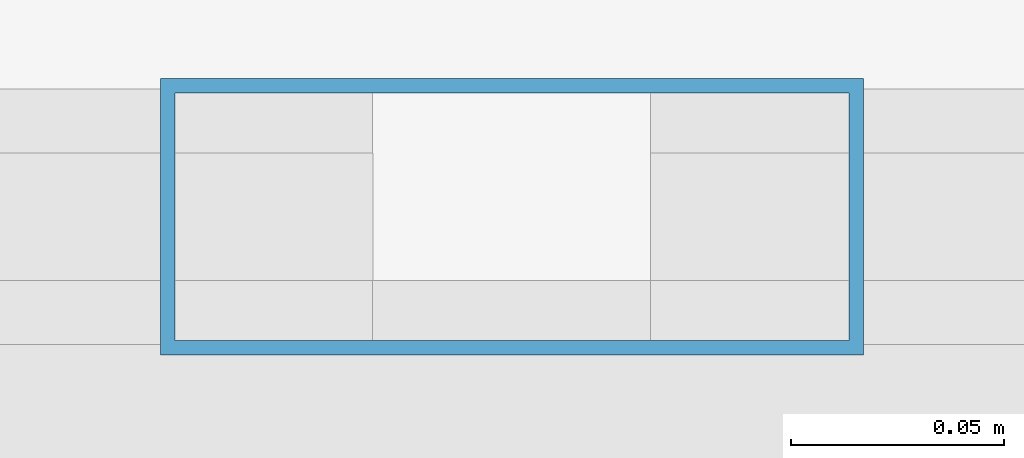
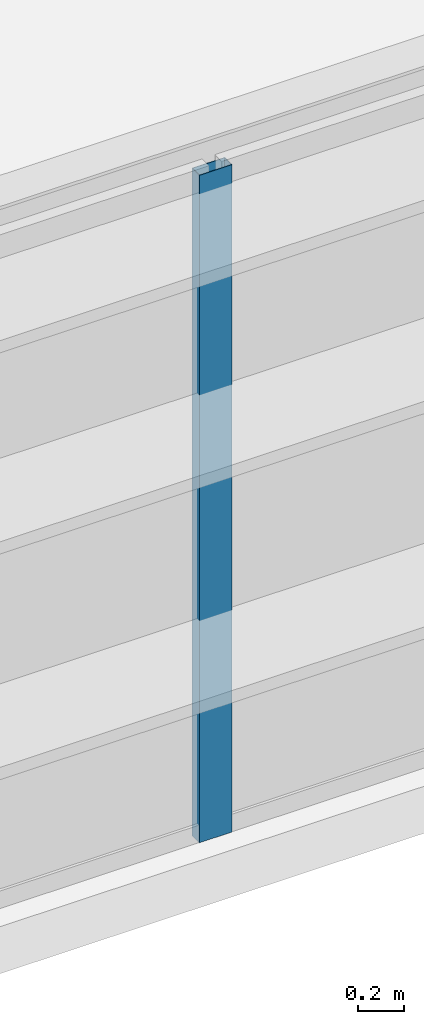
# One storey, part 8 of 27: 1 member, 1 element without a shape of its own.
"""IFC4 building model written with IfcOpenShell, lengths in metres."""

from ifc_helpers import new_model, si_unit, direction, frame, origin, origin_2d, place, context, subcontext, project, spatial, hollow_rectangle, extrude, source, transform, mapped, material, layer, layer_set, material_profile, profile_set, type_object, type_shapes, element, aggregate, save


model = new_model("IFC4")

# Units and contexts
model_context = context("Model", 3, precision=1e-05, world=origin(), true_north=direction((0.0, 1.0)))
body_context = subcontext(model_context, "Body", "Model", "MODEL_VIEW")
ifc_project = project(units=[si_unit("LENGTHUNIT", "METRE"), si_unit("AREAUNIT", "SQUARE_METRE"), si_unit("VOLUMEUNIT", "CUBIC_METRE"), si_unit("PLANEANGLEUNIT", "RADIAN"), si_unit("MASSUNIT", "GRAM", prefix="KILO")], contexts=[model_context])

# Site, building, storey
site_placement = place(None, origin())
site = spatial("IfcSite", under=ifc_project, at=site_placement, CompositionType="ELEMENT")
building_placement = place(site_placement, origin())
building = spatial("IfcBuilding", under=site, at=building_placement, Name="Varnel Quay Broadcast Tower", CompositionType="ELEMENT")
storey_placement = place(building_placement, frame((0.0, 0.0, 243.199951171875)))
storey = spatial("IfcBuildingStorey", under=building, at=storey_placement, Name="L60", CompositionType="ELEMENT", Elevation=243.199951171875)

# Curtain wall, member
ifc_material = material(Name="Anodised Bronze Aluminium 6063-T6", Category="aluminium")
ifc_layer = layer(ifc_material, 0.18994140625, Name="Anodised Bronze Aluminium 6063-T6")
ifc_layer_set = layer_set([ifc_layer], Name="Anodised Bronze Aluminium 6063-T6")
curtain_wall_type = type_object("IfcCurtainWallType", Name="CW_UpperTower", PredefinedType="NOTDEFINED", material=ifc_layer_set)
curtain_wall_placement = place(storey_placement, origin())
curtain_wall = element("IfcCurtainWall", 1, at=curtain_wall_placement, inside=storey, type_object=curtain_wall_type, Name="L60 South Unitised Curtain Wall 1", PredefinedType="NOTDEFINED")
ifc_material_profile = material_profile(ifc_material, hollow_rectangle(XDim=0.06494140625, YDim=0.1650390625, WallThickness=0.00341796875, at=origin_2d()), Name="ALU65X165X3.5")
ifc_profile_set = profile_set([ifc_material_profile], Name="Anodised Bronze Aluminium 6063-T6")
member_type = type_object("IfcMemberType", Name="Mull_CWS-03", PredefinedType="MULLION", material=ifc_profile_set)
shared_shape = source(origin(), body_context, "Body", "SweptSolid", [
    extrude(hollow_rectangle(XDim=0.06494140625, YDim=0.1650390625, WallThickness=0.00341796875, at=origin_2d()), origin(), (0.0, 0.0, 1.0), 3.550048828125),
])
type_shapes(member_type, [shared_shape])
member_placement = place(storey_placement, frame((41.033447265625, 10.35009765625, 0.0), z_axis=(0.0, 0.0, 1.0), x_axis=(0.0, 1.0, 0.0)))
member = element("IfcMember", 2, at=member_placement, type_object=member_type, Name="CWS-03 mullion 3", PredefinedType="MULLION", context=body_context, shape_type="MappedRepresentation", body=[
    mapped(shared_shape, transform((0.0, 0.0, 0.0), x_axis=(1.0, 0.0, 0.0), y_axis=(0.0, 1.0, 0.0), z_axis=(0.0, 0.0, 1.0), scale=1.0)),
])
aggregate(curtain_wall, [member])

save(model, "model.ifc")
